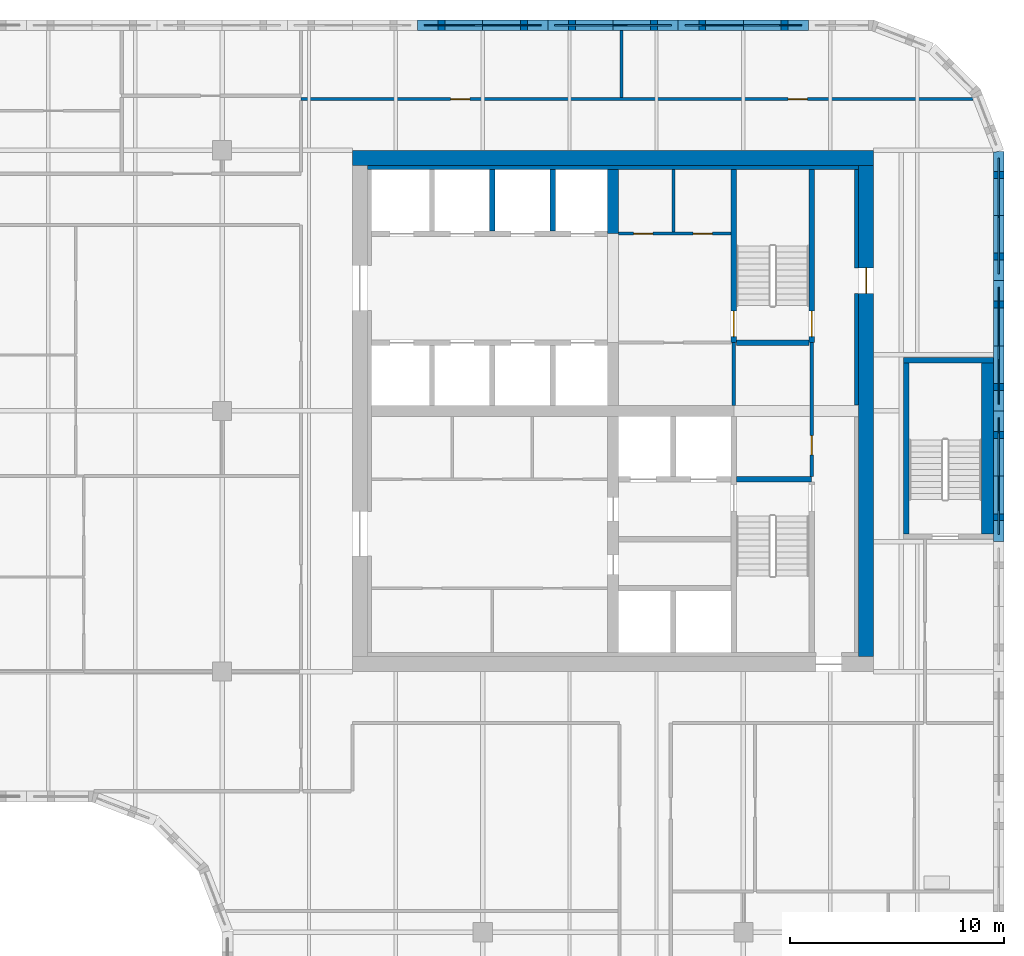
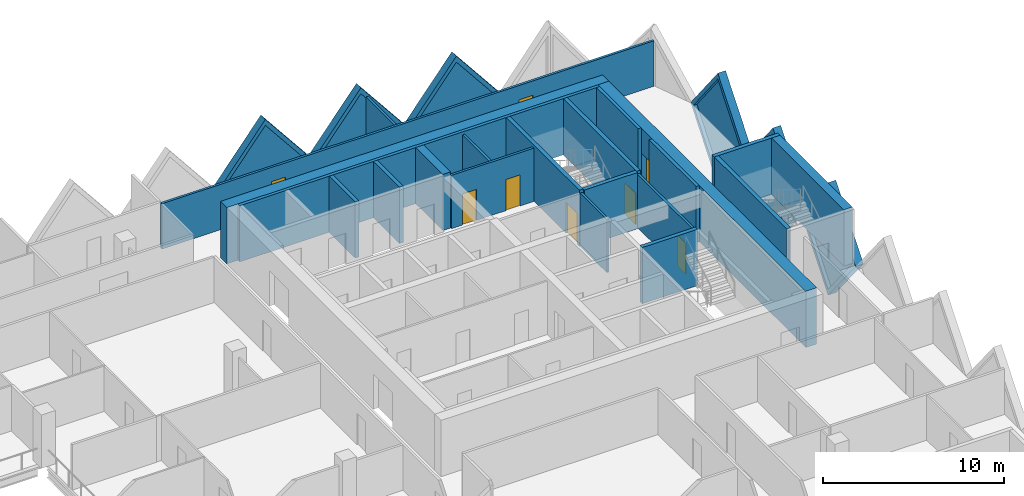
# One storey, part 9 of 12: 27 walls, 8 doors, 6 plates, 14 openings.
"""IFC4 building model written with IfcOpenShell, lengths in metres."""

from ifc_helpers import new_model, si_unit, direction, frame, frame_2d, origin, place, context, subcontext, project, spatial, polyline, rectangle, outline, extrude, faceted_brep, source, transform, mapped, material, layer, layer_set, type_object, element, fill, save


model = new_model("IFC4")

# Units and contexts
model_context = context("Model", 3, precision=1e-05, world=origin(), true_north=direction((0.0, 1.0)))
body_context = subcontext(model_context, "Body", "Model", "MODEL_VIEW")
ifc_project = project(units=[si_unit("LENGTHUNIT", "METRE"), si_unit("AREAUNIT", "SQUARE_METRE"), si_unit("VOLUMEUNIT", "CUBIC_METRE"), si_unit("PLANEANGLEUNIT", "RADIAN"), si_unit("MASSUNIT", "GRAM", prefix="KILO")], contexts=[model_context])

# Site, building, storey
site_placement = place(None, origin())
site = spatial("IfcSite", under=ifc_project, at=site_placement, CompositionType="ELEMENT")
building_placement = place(site_placement, origin())
building = spatial("IfcBuilding", under=site, at=building_placement, Name="Tessera Gate Towers", CompositionType="ELEMENT")
storey_placement = place(building_placement, frame((0.0, 0.0, 127.800048828125)))
storey = spatial("IfcBuildingStorey", under=building, at=storey_placement, Name="L31", CompositionType="ELEMENT", Elevation=127.800048828125)

# Wall
ifc_material_1 = material(Name="Concrete C40/50", Category="concrete")
ifc_layer_1 = layer(ifc_material_1, 0.25)
ifc_layer_set_1 = layer_set([ifc_layer_1], Name="CORE ENCLOSURE WALL 250")
wall_type_1 = type_object("IfcWallType", Name="CORE ENCLOSURE WALL 250", PredefinedType="SOLIDWALL", material=ifc_layer_set_1)
wall_1_placement = place(storey_placement, frame((48.47509765625, 33.39990234375, 0.0), z_axis=(0.0, 0.0, 1.0), x_axis=(1.0, 0.0, 0.0)))
element("IfcWall", 1, at=wall_1_placement, inside=storey, type_object=wall_type_1, Name="L31 shaft and stair enclosure wall", PredefinedType="SOLIDWALL", context=body_context, shape_type="SweptSolid", body=[
    extrude(rectangle(XDim=3.52490234375, YDim=0.25, at=frame_2d((1.762451171875, 0.0))), origin(), (0.0, 0.0, 1.0), 3.800048828125),
])

# Wall, opening, door
wall_2_placement = place(storey_placement, frame((48.35009765625, 47.89990234375, 0.0), z_axis=(0.0, 0.0, 1.0), x_axis=(0.0, -1.0, 0.0)))
wall_2 = element("IfcWall", 2, at=wall_2_placement, inside=storey, type_object=wall_type_1, Name="L31 shaft and stair enclosure wall", PredefinedType="SOLIDWALL", context=body_context, shape_type="SweptSolid", body=[
    extrude(rectangle(XDim=8.099853515625, YDim=0.25, at=frame_2d((4.0498046875, 0.0))), origin(), (0.0, 0.0, 1.0), 3.800048828125),
])
shared_shape_1 = source(origin(), body_context, "Body", "SweptSolid", [
    extrude(rectangle(XDim=1.199951171875, YDim=2.10009765625, at=frame_2d((0.60009765625, 1.050048828125))), frame((0.0, 0.135009765625, 0.0), z_axis=(0.0, -1.0, 0.0), x_axis=(1.0, 0.0, 0.0)), (0.0, 0.0, 1.0), 0.27001953125),
])
opening_1_placement = place(wall_2_placement, frame((6.625, 0.0, 0.0)))
opening_1 = element("IfcOpeningElement", 3, at=opening_1_placement, cuts=wall_2, Name="Opening SD-ST2-1", PredefinedType="OPENING", context=body_context, shape_type="MappedRepresentation", body=[
    mapped(shared_shape_1, transform((0.0, 0.0, 0.0), scale=1.0)),
])
ifc_material_2 = material(Name="Hollow steel fire door", Category="steel")
door_type_1 = type_object("IfcDoorType", Name="CORE DOOR SD 1200x2100", OperationType="NOTDEFINED", PredefinedType="DOOR", material=ifc_material_2)
shared_shape_2 = source(origin(), body_context, "Body", "SweptSolid", [
    extrude(rectangle(XDim=1.199951171875, YDim=2.10009765625, at=frame_2d((0.60009765625, 1.050048828125))), frame((0.0, 0.02490234375, 0.0), z_axis=(0.0, -1.0, 0.0), x_axis=(1.0, 0.0, 0.0)), (0.0, 0.0, 1.0), 0.050048828125),
])
door_1_placement = place(opening_1_placement, origin())
door_1 = element("IfcDoor", 4, at=door_1_placement, inside=storey, type_object=door_type_1, Name="Stair door", OperationType="SINGLE_SWING_RIGHT", OverallHeight=2.10009765625, OverallWidth=1.199951171875, PredefinedType="DOOR", context=body_context, shape_type="MappedRepresentation", body=[
    mapped(shared_shape_2, transform((0.0, 0.0, 0.0), scale=1.0)),
])
fill(opening_1, door_1)

wall_3_placement = place(storey_placement, frame((52.0, 39.800048828125, 0.0), z_axis=(0.0, 0.0, 1.0), x_axis=(0.0, 1.0, 0.0)))
wall_3 = element("IfcWall", 5, at=wall_3_placement, inside=storey, type_object=wall_type_1, Name="L31 shaft and stair enclosure wall", PredefinedType="SOLIDWALL", context=body_context, shape_type="SweptSolid", body=[
    extrude(rectangle(XDim=8.099853515625, YDim=0.25, at=frame_2d((4.0498046875, 0.0))), origin(), (0.0, 0.0, 1.0), 3.800048828125),
])
opening_2_placement = place(wall_3_placement, frame((0.27490234375, 0.0, 0.0)))
opening_2 = element("IfcOpeningElement", 6, at=opening_2_placement, cuts=wall_3, Name="Opening SD-ST2-2", PredefinedType="OPENING", context=body_context, shape_type="MappedRepresentation", body=[
    mapped(shared_shape_1, transform((0.0, 0.0, 0.0), scale=1.0)),
])
door_2_placement = place(opening_2_placement, origin())
door_2 = element("IfcDoor", 7, at=door_2_placement, inside=storey, type_object=door_type_1, Name="Stair door", OperationType="SINGLE_SWING_LEFT", OverallHeight=2.10009765625, OverallWidth=1.199951171875, PredefinedType="DOOR", context=body_context, shape_type="MappedRepresentation", body=[
    mapped(shared_shape_2, transform((0.0, 0.0, 0.0), scale=1.0)),
])
fill(opening_2, door_2)

# Walls
wall_4_placement = place(storey_placement, frame((48.47509765625, 39.800048828125, 0.0), z_axis=(0.0, 0.0, 1.0), x_axis=(1.0, 0.0, 0.0)))
element("IfcWall", 8, at=wall_4_placement, inside=storey, type_object=wall_type_1, Name="L31 shaft and stair enclosure wall", PredefinedType="SOLIDWALL", context=body_context, shape_type="SweptSolid", body=[
    extrude(rectangle(XDim=3.39990234375, YDim=0.25, at=frame_2d((1.699951171875, 0.0))), origin(), (0.0, 0.0, 1.0), 3.800048828125),
])
for number, where, z_axis, x_axis, name in (
    (9, (37.050048828125, 45.02490234375, 0.0), (0.0, 0.0, 1.0), (0.0, 1.0, 0.0), "L31 shaft and stair enclosure wall"),
    (10, (39.875, 45.02490234375, 0.0), (0.0, 0.0, 1.0), (0.0, 1.0, 0.0), "L31 shaft and stair enclosure wall"),
):
    element("IfcWall", number, at=place(storey_placement, frame(where, z_axis=z_axis, x_axis=x_axis)), inside=storey, type_object=wall_type_1, Name=name, PredefinedType="SOLIDWALL", context=body_context, shape_type="SweptSolid", body=[
        extrude(rectangle(XDim=2.875, YDim=0.25, at=frame_2d((1.4375, 0.0))), origin(), (0.0, 0.0, 1.0), 3.800048828125),
    ])
wall_5_placement = place(storey_placement, frame((56.425048828125, 30.85009765625, 0.0), z_axis=(0.0, 0.0, 1.0), x_axis=(0.0, 1.0, 0.0)))
element("IfcWall", 11, at=wall_5_placement, inside=storey, type_object=wall_type_1, Name="L31 ST5 enclosure wall", PredefinedType="SOLIDWALL", context=body_context, shape_type="SweptSolid", body=[
    extrude(rectangle(XDim=8.0, YDim=0.25, at=frame_2d((4.0, 0.0))), origin(), (0.0, 0.0, 1.0), 3.800048828125),
])
wall_6_placement = place(storey_placement, frame((56.300048828125, 38.97509765625, 0.0), z_axis=(0.0, 0.0, 1.0), x_axis=(1.0, 0.0, 0.0)))
element("IfcWall", 12, at=wall_6_placement, inside=storey, type_object=wall_type_1, Name="L31 ST5 enclosure wall", PredefinedType="SOLIDWALL", context=body_context, shape_type="SweptSolid", body=[
    extrude(rectangle(XDim=4.199951171875, YDim=0.25, at=frame_2d((2.10009765625, 0.0))), origin(), (0.0, 0.0, 1.0), 3.800048828125),
])
ifc_material_3 = material(Name="Concrete C40/50", Category="concrete")
ifc_layer_2 = layer(ifc_material_3, 0.550048828125)
ifc_layer_set_2 = layer_set([ifc_layer_2], Name="CORE ENCLOSURE WALL 550")
wall_type_2 = type_object("IfcWallType", Name="CORE ENCLOSURE WALL 550", PredefinedType="SOLIDWALL", material=ifc_layer_set_2)
wall_7_placement = place(storey_placement, frame((60.22509765625, 38.85009765625, 0.0), z_axis=(0.0, 0.0, 1.0), x_axis=(0.0, -1.0, 0.0)))
element("IfcWall", 13, at=wall_7_placement, inside=storey, type_object=wall_type_2, Name="L31 ST5 enclosure wall", PredefinedType="SOLIDWALL", context=body_context, shape_type="SweptSolid", body=[
    extrude(rectangle(XDim=8.0, YDim=0.550048828125, at=frame_2d((4.0, 0.0))), origin(), (0.0, 0.0, 1.0), 3.800048828125),
])
ifc_material_4 = material(Name="Concrete C60/75", Category="concrete")
ifc_layer_3 = layer(ifc_material_4, 0.699951171875)
ifc_layer_set_3 = layer_set([ifc_layer_3], Name="CORE SHEAR WALL 700 C60/75")
wall_type_3 = type_object("IfcWallType", Name="CORE SHEAR WALL 700 C60/75", PredefinedType="SHEAR", material=ifc_layer_set_3)
wall_8_placement = place(storey_placement, frame((30.5, 48.449951171875, 0.0), z_axis=(0.0, 0.0, 1.0), x_axis=(1.0, 0.0, 0.0)))
element("IfcWall", 14, at=wall_8_placement, inside=storey, type_object=wall_type_3, Name="Core wall N L31", PredefinedType="SHEAR", context=body_context, shape_type="SweptSolid", body=[
    extrude(rectangle(XDim=24.39990234375, YDim=0.699951171875, at=frame_2d((12.199951171875, 0.0))), origin(), (0.0, 0.0, 1.0), 3.800048828125),
])

# Wall, opening, door
wall_9_placement = place(storey_placement, frame((54.550048828125, 48.10009765625, 0.0), z_axis=(0.0, 0.0, 1.0), x_axis=(0.0, -1.0, 0.0)))
wall_9 = element("IfcWall", 15, at=wall_9_placement, inside=storey, type_object=wall_type_3, Name="Core wall E L31", PredefinedType="SHEAR", context=body_context, shape_type="SweptSolid", body=[
    extrude(rectangle(XDim=23.0, YDim=0.699951171875, at=frame_2d((11.5, 0.0))), origin(), (0.0, 0.0, 1.0), 3.800048828125),
])
shared_shape_3 = source(origin(), body_context, "Body", "SweptSolid", [
    extrude(rectangle(XDim=1.199951171875, YDim=2.10009765625, at=frame_2d((0.60009765625, 1.050048828125))), frame((0.0, 0.35986328125, 0.0), z_axis=(0.0, -1.0, 0.0), x_axis=(1.0, 0.0, 0.0)), (0.0, 0.0, 1.0), 0.719970703125),
])
opening_3_placement = place(wall_9_placement, frame((4.800048828125, 0.0, 0.0)))
opening_3 = element("IfcOpeningElement", 16, at=opening_3_placement, cuts=wall_9, Name="Opening ED-T1-21-04", PredefinedType="OPENING", context=body_context, shape_type="MappedRepresentation", body=[
    mapped(shared_shape_3, transform((0.0, 0.0, 0.0), scale=1.0)),
])
ifc_material_5 = material(Name="Hollow steel fire door", Category="steel")
door_type_2 = type_object("IfcDoorType", Name="CORE DOOR ED 1200x2100", OperationType="NOTDEFINED", PredefinedType="DOOR", material=ifc_material_5)
door_3_placement = place(opening_3_placement, origin())
door_3 = element("IfcDoor", 17, at=door_3_placement, inside=storey, type_object=door_type_2, Name="Core exit door", OperationType="SINGLE_SWING_LEFT", OverallHeight=2.10009765625, OverallWidth=1.199951171875, PredefinedType="DOOR", context=body_context, shape_type="MappedRepresentation", body=[
    mapped(shared_shape_2, transform((0.0, 0.0, 0.0), scale=1.0)),
])
fill(opening_3, door_3)

# Walls
ifc_material_6 = material(Name="Concrete C60/75", Category="concrete")
ifc_layer_4 = layer(ifc_material_6, 0.5)
ifc_layer_set_4 = layer_set([ifc_layer_4], Name="CORE SPINE WALL 500 C60/75")
wall_type_4 = type_object("IfcWallType", Name="CORE SPINE WALL 500 C60/75", PredefinedType="SHEAR", material=ifc_layer_set_4)
wall_10_placement = place(storey_placement, frame((42.699951171875, 44.89990234375, 0.0), z_axis=(0.0, 0.0, 1.0), x_axis=(0.0, 1.0, 0.0)))
element("IfcWall", 18, at=wall_10_placement, inside=storey, type_object=wall_type_4, Name="Core wall spine L31", PredefinedType="SHEAR", context=body_context, shape_type="SweptSolid", body=[
    extrude(rectangle(XDim=3.0, YDim=0.5, at=frame_2d((1.5, 0.0))), origin(), (0.0, 0.0, 1.0), 3.800048828125),
])
ifc_material_7 = material(Name="Concrete C60/75", Category="concrete")
ifc_layer_5 = layer(ifc_material_7, 0.199951171875)
ifc_layer_set_5 = layer_set([ifc_layer_5], Name="CORE WALL THICKENING 200")
wall_type_5 = type_object("IfcWallType", Name="CORE WALL THICKENING 200", PredefinedType="SOLIDWALL", material=ifc_layer_set_5)
wall_11_placement = place(storey_placement, frame((31.199951171875, 48.0, 0.0), z_axis=(0.0, 0.0, 1.0), x_axis=(1.0, 0.0, 0.0)))
element("IfcWall", 19, at=wall_11_placement, inside=storey, type_object=wall_type_5, Name="Core wall thickening N L31", PredefinedType="SOLIDWALL", context=body_context, shape_type="SweptSolid", body=[
    extrude(rectangle(XDim=23.0, YDim=0.199951171875, at=frame_2d((11.5, 0.0))), origin(), (0.0, 0.0, 1.0), 3.800048828125),
])
wall_12_placement = place(storey_placement, frame((54.10009765625, 36.8798828125, 0.0), z_axis=(0.0, 0.0, 1.0), x_axis=(0.0, 1.0, 0.0)))
element("IfcWall", 20, at=wall_12_placement, inside=storey, type_object=wall_type_5, Name="Core wall thickening E L31", PredefinedType="SOLIDWALL", context=body_context, shape_type="SweptSolid", body=[
    extrude(rectangle(XDim=5.22021484375, YDim=0.199951171875, at=frame_2d((2.610107421875, 0.0))), origin(), (0.0, 0.0, 1.0), 3.800048828125),
])
wall_13_placement = place(storey_placement, frame((54.10009765625, 43.300048828125, 0.0), z_axis=(0.0, 0.0, 1.0), x_axis=(0.0, 1.0, 0.0)))
element("IfcWall", 21, at=wall_13_placement, inside=storey, type_object=wall_type_5, Name="Core wall thickening E L31", PredefinedType="SOLIDWALL", context=body_context, shape_type="SweptSolid", body=[
    extrude(rectangle(XDim=4.599853515625, YDim=0.199951171875, at=frame_2d((2.2998046875, 0.0))), origin(), (0.0, 0.0, 1.0), 3.800048828125),
])

# Wall, openings, doors
ifc_material_8 = material(Name="Gypsum board on steel studs, mineral wool", Category="steel")
ifc_layer_6 = layer(ifc_material_8, 0.14990234375)
ifc_layer_set_6 = layer_set([ifc_layer_6], Name="CORRIDOR WALL 150")
wall_type_6 = type_object("IfcWallType", Name="CORRIDOR WALL 150", PredefinedType="PARTITIONING", material=ifc_layer_set_6)
wall_14_placement = place(storey_placement, frame((28.10009765625, 51.199951171875, 0.0), z_axis=(0.0, 0.0, 1.0), x_axis=(1.0, 0.0, 0.0)))
wall_14 = element("IfcWall", 22, at=wall_14_placement, inside=storey, type_object=wall_type_6, Name="T1-L31-PW-046", PredefinedType="PARTITIONING", context=body_context, shape_type="SweptSolid", body=[
    extrude(rectangle(XDim=31.438232421875, YDim=0.14990234375, at=frame_2d((15.71923828125, 0.0))), origin(), (0.0, 0.0, 1.0), 3.06689453125),
])
shared_shape_4 = source(origin(), body_context, "Body", "SweptSolid", [
    extrude(rectangle(XDim=0.89990234375, YDim=2.10009765625, at=frame_2d((0.449951171875, 1.050048828125))), frame((0.0, 0.0849609375, 0.0), z_axis=(0.0, -1.0, 0.0), x_axis=(1.0, 0.0, 0.0)), (0.0, 0.0, 1.0), 0.169921875),
])
opening_4_placement = place(wall_14_placement, frame((7.0, 0.0, 0.0)))
opening_4 = element("IfcOpeningElement", 23, at=opening_4_placement, cuts=wall_14, Name="Opening D890FD60-A11-08", PredefinedType="OPENING", context=body_context, shape_type="MappedRepresentation", body=[
    mapped(shared_shape_4, transform((0.0, 0.0, 0.0), scale=1.0)),
])
opening_5_placement = place(wall_14_placement, frame((22.800048828125, 0.0, 0.0)))
opening_5 = element("IfcOpeningElement", 24, at=opening_5_placement, cuts=wall_14, Name="Opening D890FD60-A11-09", PredefinedType="OPENING", context=body_context, shape_type="MappedRepresentation", body=[
    mapped(shared_shape_4, transform((0.0, 0.0, 0.0), scale=1.0)),
])
ifc_material_9 = material(Name="Timber door leaf in steel frame", Category="steel")
door_type_3 = type_object("IfcDoorType", Name="CORRIDOR DOOR 900 FD60", OperationType="NOTDEFINED", PredefinedType="DOOR", material=ifc_material_9)
shared_shape_5 = source(origin(), body_context, "Body", "SweptSolid", [
    extrude(rectangle(XDim=0.89990234375, YDim=2.10009765625, at=frame_2d((0.449951171875, 1.050048828125))), frame((0.0, 0.02490234375, 0.0), z_axis=(0.0, -1.0, 0.0), x_axis=(1.0, 0.0, 0.0)), (0.0, 0.0, 1.0), 0.050048828125),
])
door_4_placement = place(opening_4_placement, origin())
door_4 = element("IfcDoor", 25, at=door_4_placement, inside=storey, type_object=door_type_3, Name="T1-L31-PD-024", OperationType="SINGLE_SWING_LEFT", OverallHeight=2.10009765625, OverallWidth=0.89990234375, PredefinedType="DOOR", context=body_context, shape_type="MappedRepresentation", body=[
    mapped(shared_shape_5, transform((0.0, 0.0, 0.0), scale=1.0)),
])
fill(opening_4, door_4)
door_5_placement = place(opening_5_placement, origin())
door_5 = element("IfcDoor", 26, at=door_5_placement, inside=storey, type_object=door_type_3, Name="T1-L31-PD-025", OperationType="SINGLE_SWING_LEFT", OverallHeight=2.10009765625, OverallWidth=0.89990234375, PredefinedType="DOOR", context=body_context, shape_type="MappedRepresentation", body=[
    mapped(shared_shape_5, transform((0.0, 0.0, 0.0), scale=1.0)),
])
fill(opening_5, door_5)

# Wall, opening, door
ifc_material_10 = material(Name="Gypsum board on steel studs", Category="steel")
ifc_layer_7 = layer(ifc_material_10, 0.14990234375)
ifc_layer_set_7 = layer_set([ifc_layer_7], Name="SERVICE ROOM WALL 150")
wall_type_7 = type_object("IfcWallType", Name="SERVICE ROOM WALL 150", PredefinedType="PARTITIONING", material=ifc_layer_set_7)
wall_15_placement = place(storey_placement, frame((52.0, 33.52490234375, 0.0), z_axis=(0.0, 0.0, 1.0), x_axis=(0.0, 1.0, 0.0)))
wall_15 = element("IfcWall", 27, at=wall_15_placement, inside=storey, type_object=wall_type_7, Name="L31 service room wall", PredefinedType="PARTITIONING", context=body_context, shape_type="SweptSolid", body=[
    extrude(rectangle(XDim=6.275146484375, YDim=0.14990234375, at=frame_2d((3.1376953125, 0.0))), origin(), (0.0, 0.0, 1.0), 3.599853515625),
])
opening_6_placement = place(wall_15_placement, frame((1.02490234375, 0.0, 0.0)))
opening_6 = element("IfcOpeningElement", 28, at=opening_6_placement, cuts=wall_15, Name="Opening RD-T1-21-12", PredefinedType="OPENING", context=body_context, shape_type="MappedRepresentation", body=[
    mapped(shared_shape_4, transform((0.0, 0.0, 0.0), scale=1.0)),
])
ifc_material_11 = material(Name="Hollow steel fire door", Category="steel")
door_type_4 = type_object("IfcDoorType", Name="CORE DOOR RD 900x2100", OperationType="NOTDEFINED", PredefinedType="DOOR", material=ifc_material_11)
door_6_placement = place(opening_6_placement, origin())
door_6 = element("IfcDoor", 29, at=door_6_placement, inside=storey, type_object=door_type_4, Name="Core room door", OperationType="SINGLE_SWING_LEFT", OverallHeight=2.10009765625, OverallWidth=0.89990234375, PredefinedType="DOOR", context=body_context, shape_type="MappedRepresentation", body=[
    mapped(shared_shape_5, transform((0.0, 0.0, 0.0), scale=1.0)),
])
fill(opening_6, door_6)

# Wall, openings, doors
wall_16_placement = place(storey_placement, frame((42.949951171875, 44.89990234375, 0.0), z_axis=(0.0, 0.0, 1.0), x_axis=(1.0, 0.0, 0.0)))
wall_16 = element("IfcWall", 30, at=wall_16_placement, inside=storey, type_object=wall_type_7, Name="L31 service room wall", PredefinedType="PARTITIONING", context=body_context, shape_type="SweptSolid", body=[
    extrude(rectangle(XDim=5.275146484375, YDim=0.14990234375, at=frame_2d((2.6376953125, 0.0))), origin(), (0.0, 0.0, 1.0), 3.599853515625),
])
opening_7_placement = place(wall_16_placement, frame((0.71240234375, 0.0, 0.0)))
opening_7 = element("IfcOpeningElement", 31, at=opening_7_placement, cuts=wall_16, Name="Opening RD-T1-21-14", PredefinedType="OPENING", context=body_context, shape_type="MappedRepresentation", body=[
    mapped(shared_shape_4, transform((0.0, 0.0, 0.0), scale=1.0)),
])
opening_8_placement = place(wall_16_placement, frame((3.5, 0.0, 0.0)))
opening_8 = element("IfcOpeningElement", 32, at=opening_8_placement, cuts=wall_16, Name="Opening RD-T1-21-15", PredefinedType="OPENING", context=body_context, shape_type="MappedRepresentation", body=[
    mapped(shared_shape_4, transform((0.0, 0.0, 0.0), scale=1.0)),
])
door_7_placement = place(opening_7_placement, origin())
door_7 = element("IfcDoor", 33, at=door_7_placement, inside=storey, type_object=door_type_4, Name="Core room door", OperationType="SINGLE_SWING_LEFT", OverallHeight=2.10009765625, OverallWidth=0.89990234375, PredefinedType="DOOR", context=body_context, shape_type="MappedRepresentation", body=[
    mapped(shared_shape_5, transform((0.0, 0.0, 0.0), scale=1.0)),
])
fill(opening_7, door_7)
door_8_placement = place(opening_8_placement, origin())
door_8 = element("IfcDoor", 34, at=door_8_placement, inside=storey, type_object=door_type_4, Name="Core room door", OperationType="SINGLE_SWING_RIGHT", OverallHeight=2.10009765625, OverallWidth=0.89990234375, PredefinedType="DOOR", context=body_context, shape_type="MappedRepresentation", body=[
    mapped(shared_shape_5, transform((0.0, 0.0, 0.0), scale=1.0)),
])
fill(opening_8, door_8)

# Walls
wall_17_placement = place(storey_placement, frame((48.35009765625, 36.85009765625, 0.0), z_axis=(0.0, 0.0, 1.0), x_axis=(0.0, 1.0, 0.0)))
element("IfcWall", 35, at=wall_17_placement, inside=storey, type_object=wall_type_7, Name="L31 service room wall", PredefinedType="PARTITIONING", context=body_context, shape_type="SweptSolid", body=[
    extrude(rectangle(XDim=2.949951171875, YDim=0.14990234375, at=frame_2d((1.47509765625, 0.0))), origin(), (0.0, 0.0, 1.0), 3.599853515625),
])
wall_18_placement = place(storey_placement, frame((45.52490234375, 44.97509765625, 0.0), z_axis=(0.0, 0.0, 1.0), x_axis=(0.0, 1.0, 0.0)))
element("IfcWall", 36, at=wall_18_placement, inside=storey, type_object=wall_type_7, Name="L31 service room wall", PredefinedType="PARTITIONING", context=body_context, shape_type="SweptSolid", body=[
    extrude(rectangle(XDim=2.9248046875, YDim=0.14990234375, at=frame_2d((1.46240234375, 0.0))), origin(), (0.0, 0.0, 1.0), 3.599853515625),
])
ifc_material_12 = material(Name="Gypsum board on steel studs, mineral wool", Category="steel")
ifc_layer_8 = layer(ifc_material_12, 0.14990234375)
ifc_layer_set_8 = layer_set([ifc_layer_8], Name="TENANCY WALL 150")
wall_type_8 = type_object("IfcWallType", Name="TENANCY WALL 150", PredefinedType="PARTITIONING", material=ifc_layer_set_8)
wall_19_placement = place(storey_placement, frame((43.10009765625, 51.27587890625, 0.0), z_axis=(0.0, 0.0, 1.0), x_axis=(0.0, 1.0, 0.0)))
element("IfcWall", 37, at=wall_19_placement, inside=storey, type_object=wall_type_8, Name="T1-L31-PW-047", PredefinedType="PARTITIONING", context=body_context, shape_type="SweptSolid", body=[
    extrude(rectangle(XDim=3.1240234375, YDim=0.14990234375, at=frame_2d((1.56201171875, 0.0))), origin(), (0.0, 0.0, 1.0), 3.06689453125),
])

# Wall, opening, plate
ifc_material_13 = material(Name="Precast concrete C60/75 white", Category="concrete")
ifc_layer_9 = layer(ifc_material_13, 0.5)
ifc_layer_set_9 = layer_set([ifc_layer_9], Name="TS1 tessera")
wall_type_9 = type_object("IfcWallType", Name="TS1 tessera", PredefinedType="SOLIDWALL", material=ifc_layer_set_9)
shared_shape_6 = source(origin(), body_context, "Body", "Brep", [
    faceted_brep([(3.050048828125, -0.25, 0.0), (6.099853515625, -0.25, 3.7998046875), (6.099853515625, -0.25, 3.80029296875), (3.050048828125, -0.25, 7.60009765625), (0.0, -0.25, 3.800048828125), (0.0, 0.25, 3.800048828125), (3.050048828125, 0.25, 7.60009765625), (6.099853515625, 0.25, 3.80029296875), (6.099853515625, 0.25, 3.7998046875), (3.050048828125, 0.25, 0.0)], [[[0, 1, 2, 3, 4]], [[5, 6, 7, 8, 9]], [[9, 8, 1, 0]], [[7, 6, 3, 2]], [[6, 5, 4, 3]], [[5, 9, 0, 4]], [[1, 8, 7, 2]]]),
])
wall_20_placement = place(storey_placement, frame((60.75, 36.60009765625, -3.800048828125), z_axis=(0.0, 0.0, 1.0), x_axis=(0.0, 1.0, 0.0)))
wall_20 = element("IfcWall", 38, at=wall_20_placement, inside=storey, type_object=wall_type_9, Name="Precast tessera T1 TS1-0514", PredefinedType="SOLIDWALL", context=body_context, shape_type="MappedRepresentation", body=[
    mapped(shared_shape_6, transform((0.0, 0.0, 0.0), scale=1.0)),
])
shared_shape_7 = source(origin(), body_context, "Body", "SweptSolid", [
    extrude(outline(polyline([(3.050048828125, 0.3994140625), (5.779541015625, 3.800048828125), (3.050048828125, 7.20068359375), (0.320556640625, 3.800048828125), (3.050048828125, 0.3994140625)])), frame((0.0, 0.260009765625, 0.0), z_axis=(0.0, -1.0, 0.0), x_axis=(1.0, 0.0, 0.0)), (0.0, 0.0, 1.0), 0.52001953125),
])
opening_9_placement = place(wall_20_placement, origin())
opening_9 = element("IfcOpeningElement", 39, at=opening_9_placement, cuts=wall_20, Name="Opening T1-PL2-1048", PredefinedType="OPENING", context=body_context, shape_type="MappedRepresentation", body=[
    mapped(shared_shape_7, transform((0.0, 0.0, 0.0), scale=1.0)),
])
ifc_material_14 = material(Name="Low-e laminated glass", Category="glass")
ifc_layer_10 = layer(ifc_material_14, 0.06005859375)
ifc_layer_set_10 = layer_set([ifc_layer_10], Name="PL2 rhombic pane")
plate_type = type_object("IfcPlateType", Name="PL2 rhombic pane", PredefinedType="SHEET", material=ifc_layer_set_10)
shared_shape_8 = source(origin(), body_context, "Body", "SweptSolid", [
    extrude(outline(polyline([(3.050048828125, 0.3994140625), (5.779541015625, 3.800048828125), (3.050048828125, 7.20068359375), (0.320556640625, 3.800048828125), (3.050048828125, 0.3994140625)])), frame((0.0, 0.030029296875, 0.0), z_axis=(0.0, -1.0, 0.0), x_axis=(1.0, 0.0, 0.0)), (0.0, 0.0, 1.0), 0.06005859375),
])
plate_1_placement = place(opening_9_placement, origin())
plate_1 = element("IfcPlate", 40, at=plate_1_placement, inside=storey, type_object=plate_type, Name="Glass pane T1 PL2-1048", PredefinedType="SHEET", context=body_context, shape_type="MappedRepresentation", body=[
    mapped(shared_shape_8, transform((0.0, 0.0, 0.0), scale=1.0)),
])
fill(opening_9, plate_1)

wall_21_placement = place(storey_placement, frame((39.64990234375, 54.64990234375, -3.800048828125), z_axis=(0.0, 0.0, 1.0), x_axis=(-1.0, 0.0, 0.0)))
wall_21 = element("IfcWall", 41, at=wall_21_placement, inside=storey, type_object=wall_type_9, Name="Precast tessera T1 TS1-0518", PredefinedType="SOLIDWALL", context=body_context, shape_type="MappedRepresentation", body=[
    mapped(shared_shape_6, transform((0.0, 0.0, 0.0), scale=1.0)),
])
opening_10_placement = place(wall_21_placement, origin())
opening_10 = element("IfcOpeningElement", 42, at=opening_10_placement, cuts=wall_21, Name="Opening T1-PL2-1056", PredefinedType="OPENING", context=body_context, shape_type="MappedRepresentation", body=[
    mapped(shared_shape_7, transform((0.0, 0.0, 0.0), scale=1.0)),
])
plate_2_placement = place(opening_10_placement, origin())
plate_2 = element("IfcPlate", 43, at=plate_2_placement, inside=storey, type_object=plate_type, Name="Glass pane T1 PL2-1056", PredefinedType="SHEET", context=body_context, shape_type="MappedRepresentation", body=[
    mapped(shared_shape_8, transform((0.0, 0.0, 0.0), scale=1.0)),
])
fill(opening_10, plate_2)

shared_shape_9 = source(origin(), body_context, "Body", "SweptSolid", [
    extrude(outline(polyline([(3.050048828125, 0.0), (6.10009765625, 3.800048828125), (3.050048828125, 7.60009765625), (0.0, 3.800048828125), (3.050048828125, 0.0)])), frame((0.0, 0.25, 0.0), z_axis=(0.0, -1.0, 0.0), x_axis=(1.0, 0.0, 0.0)), (0.0, 0.0, 1.0), 0.5),
])
wall_22_placement = place(storey_placement, frame((60.75, 30.5, -3.800048828125), z_axis=(0.0, 0.0, 1.0), x_axis=(0.0, 1.0, 0.0)))
wall_22 = element("IfcWall", 44, at=wall_22_placement, inside=storey, type_object=wall_type_9, Name="Precast tessera T1 TS1-0513", PredefinedType="SOLIDWALL", context=body_context, shape_type="MappedRepresentation", body=[
    mapped(shared_shape_9, transform((0.0, 0.0, 0.0), scale=1.0)),
])
opening_11_placement = place(wall_22_placement, origin())
opening_11 = element("IfcOpeningElement", 45, at=opening_11_placement, cuts=wall_22, Name="Opening T1-PL2-1047", PredefinedType="OPENING", context=body_context, shape_type="MappedRepresentation", body=[
    mapped(shared_shape_7, transform((0.0, 0.0, 0.0), scale=1.0)),
])
plate_3_placement = place(opening_11_placement, origin())
plate_3 = element("IfcPlate", 46, at=plate_3_placement, inside=storey, type_object=plate_type, Name="Glass pane T1 PL2-1047", PredefinedType="SHEET", context=body_context, shape_type="MappedRepresentation", body=[
    mapped(shared_shape_8, transform((0.0, 0.0, 0.0), scale=1.0)),
])
fill(opening_11, plate_3)

wall_23_placement = place(storey_placement, frame((51.85009765625, 54.64990234375, -3.800048828125), z_axis=(0.0, 0.0, 1.0), x_axis=(-1.0, 0.0, 0.0)))
wall_23 = element("IfcWall", 47, at=wall_23_placement, inside=storey, type_object=wall_type_9, Name="Precast tessera T1 TS1-0516", PredefinedType="SOLIDWALL", context=body_context, shape_type="MappedRepresentation", body=[
    mapped(shared_shape_9, transform((0.0, 0.0, 0.0), scale=1.0)),
])
opening_12_placement = place(wall_23_placement, origin())
opening_12 = element("IfcOpeningElement", 48, at=opening_12_placement, cuts=wall_23, Name="Opening T1-PL2-1054", PredefinedType="OPENING", context=body_context, shape_type="MappedRepresentation", body=[
    mapped(shared_shape_7, transform((0.0, 0.0, 0.0), scale=1.0)),
])
plate_4_placement = place(opening_12_placement, origin())
plate_4 = element("IfcPlate", 49, at=plate_4_placement, inside=storey, type_object=plate_type, Name="Glass pane T1 PL2-1054", PredefinedType="SHEET", context=body_context, shape_type="MappedRepresentation", body=[
    mapped(shared_shape_8, transform((0.0, 0.0, 0.0), scale=1.0)),
])
fill(opening_12, plate_4)

wall_24_placement = place(storey_placement, frame((45.75, 54.64990234375, -3.800048828125), z_axis=(0.0, 0.0, 1.0), x_axis=(-1.0, 0.0, 0.0)))
wall_24 = element("IfcWall", 50, at=wall_24_placement, inside=storey, type_object=wall_type_9, Name="Precast tessera T1 TS1-0517", PredefinedType="SOLIDWALL", context=body_context, shape_type="MappedRepresentation", body=[
    mapped(shared_shape_9, transform((0.0, 0.0, 0.0), scale=1.0)),
])
opening_13_placement = place(wall_24_placement, origin())
opening_13 = element("IfcOpeningElement", 51, at=opening_13_placement, cuts=wall_24, Name="Opening T1-PL2-1055", PredefinedType="OPENING", context=body_context, shape_type="MappedRepresentation", body=[
    mapped(shared_shape_7, transform((0.0, 0.0, 0.0), scale=1.0)),
])
plate_5_placement = place(opening_13_placement, origin())
plate_5 = element("IfcPlate", 52, at=plate_5_placement, inside=storey, type_object=plate_type, Name="Glass pane T1 PL2-1055", PredefinedType="SHEET", context=body_context, shape_type="MappedRepresentation", body=[
    mapped(shared_shape_8, transform((0.0, 0.0, 0.0), scale=1.0)),
])
fill(opening_13, plate_5)

shared_shape_10 = source(origin(), body_context, "Body", "Brep", [
    faceted_brep([(3.050048828125, -0.25, 0.0), (6.053466796875, -0.25, 3.800048828125), (3.050048828125, -0.25, 7.60009765625), (0.0, -0.25, 3.800048828125), (0.0, 0.25, 3.800048828125), (3.050048828125, 0.25, 7.60009765625), (6.0068359375, 0.25, 3.85888671875), (6.0068359375, 0.25, 3.7412109375), (3.050048828125, 0.25, 0.0), (6.053466796875, 0.0, 3.800048828125)], [[[0, 1, 2, 3]], [[4, 5, 6, 7, 8]], [[8, 7, 9, 1, 0]], [[6, 5, 2, 1, 9]], [[5, 4, 3, 2]], [[4, 8, 0, 3]], [[9, 7, 6]]]),
])
wall_25_placement = place(storey_placement, frame((60.75, 42.699951171875, -3.800048828125), z_axis=(0.0, 0.0, 1.0), x_axis=(0.0, 1.0, 0.0)))
wall_25 = element("IfcWall", 53, at=wall_25_placement, inside=storey, type_object=wall_type_9, Name="Precast tessera T1 TS1-0515", PredefinedType="SOLIDWALL", context=body_context, shape_type="MappedRepresentation", body=[
    mapped(shared_shape_10, transform((0.0, 0.0, 0.0), scale=1.0)),
])
shared_shape_11 = source(origin(), body_context, "Body", "SweptSolid", [
    extrude(outline(polyline([(3.048583984375, 0.4013671875), (5.73486328125, 3.800048828125), (3.048583984375, 7.19873046875), (0.320556640625, 3.800048828125), (3.048583984375, 0.4013671875)])), frame((0.0, 0.260009765625, 0.0), z_axis=(0.0, -1.0, 0.0), x_axis=(1.0, 0.0, 0.0)), (0.0, 0.0, 1.0), 0.52001953125),
])
opening_14_placement = place(wall_25_placement, origin())
opening_14 = element("IfcOpeningElement", 54, at=opening_14_placement, cuts=wall_25, Name="Opening T1-PL2-1049", PredefinedType="OPENING", context=body_context, shape_type="MappedRepresentation", body=[
    mapped(shared_shape_11, transform((0.0, 0.0, 0.0), scale=1.0)),
])
shared_shape_12 = source(origin(), body_context, "Body", "SweptSolid", [
    extrude(outline(polyline([(3.048583984375, 0.4013671875), (5.73486328125, 3.800048828125), (3.048583984375, 7.19873046875), (0.320556640625, 3.800048828125), (3.048583984375, 0.4013671875)])), frame((0.0, 0.030029296875, 0.0), z_axis=(0.0, -1.0, 0.0), x_axis=(1.0, 0.0, 0.0)), (0.0, 0.0, 1.0), 0.06005859375),
])
plate_6_placement = place(opening_14_placement, origin())
plate_6 = element("IfcPlate", 55, at=plate_6_placement, inside=storey, type_object=plate_type, Name="Glass pane T1 PL2-1049", PredefinedType="SHEET", context=body_context, shape_type="MappedRepresentation", body=[
    mapped(shared_shape_12, transform((0.0, 0.0, 0.0), scale=1.0)),
])
fill(opening_14, plate_6)

save(model, "model.ifc")
